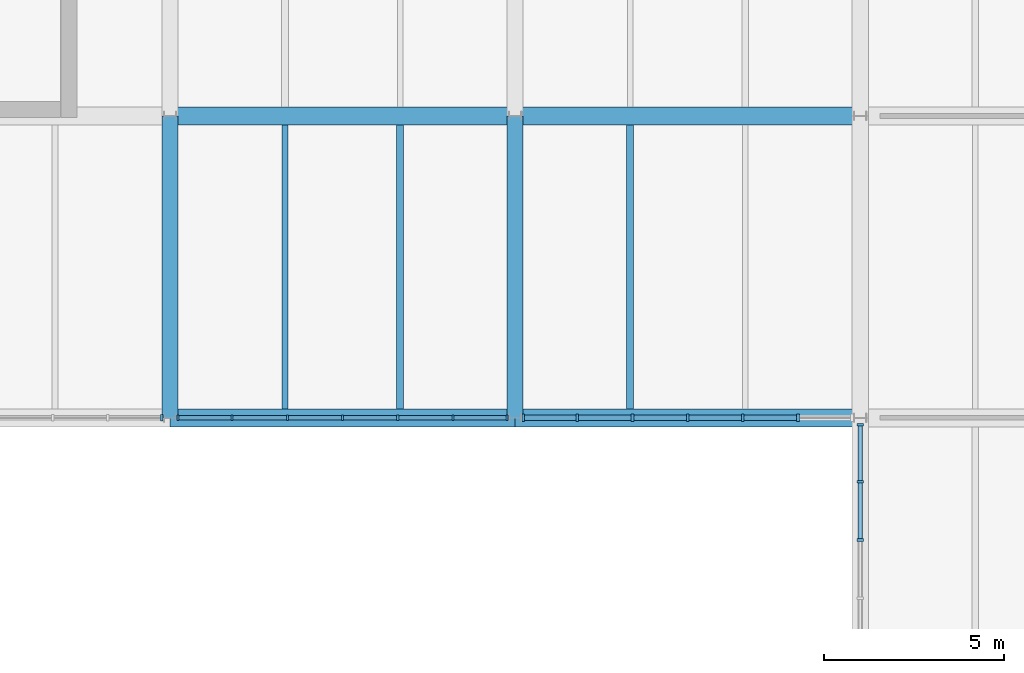
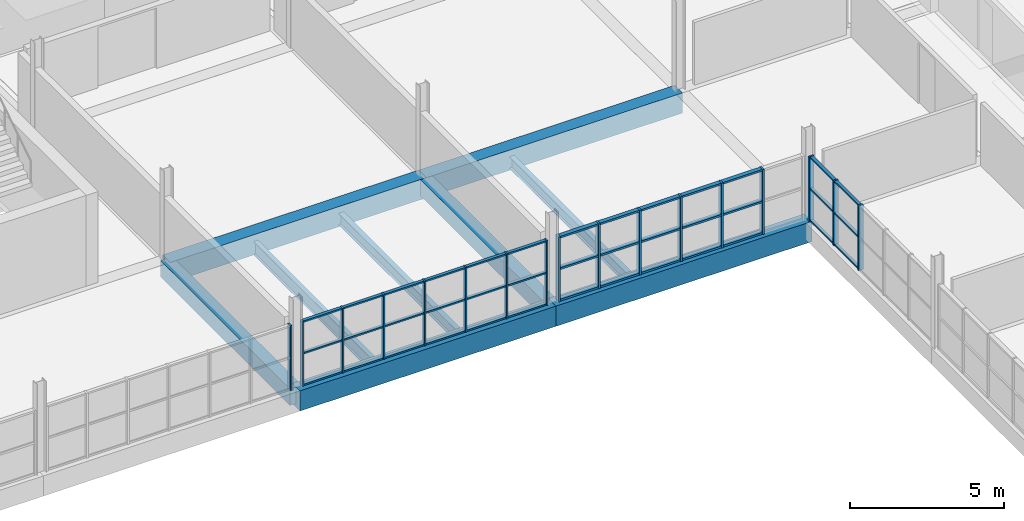
# One storey, part 44 of 147: 56 members, 9 beams, 4 elements without a shape of their own.
"""IFC4 building model written with IfcOpenShell, lengths in metres."""

from ifc_helpers import new_model, si_unit, direction, frame, origin, origin_2d, place, context, subcontext, project, spatial, rectangle, i_section, extrude, material, material_profile, profile_set, type_object, element, aggregate, save


model = new_model("IFC4")

# Units and contexts
model_context = context("Model", 3, precision=1e-05, world=origin(), true_north=direction((0.0, 1.0)))
body_context = subcontext(model_context, "Body", "Model", "MODEL_VIEW")
ifc_project = project(units=[si_unit("LENGTHUNIT", "METRE"), si_unit("AREAUNIT", "SQUARE_METRE"), si_unit("VOLUMEUNIT", "CUBIC_METRE"), si_unit("PLANEANGLEUNIT", "RADIAN"), si_unit("MASSUNIT", "GRAM", prefix="KILO")], contexts=[model_context])

# Site, building, storey
site_placement = place(None, origin())
site = spatial("IfcSite", under=ifc_project, at=site_placement, CompositionType="ELEMENT")
building_placement = place(site_placement, origin())
building = spatial("IfcBuilding", under=site, at=building_placement, Name="Oolite Switchyard Hospital", CompositionType="ELEMENT")
storey_placement = place(building_placement, frame((0.0, 0.0, 9.89990234375)))
storey = spatial("IfcBuildingStorey", under=building, at=storey_placement, Name="L02", CompositionType="ELEMENT", Elevation=9.89990234375)

# Beams
ifc_material_1 = material(Name="Concrete C40/50", Category="concrete")
ifc_material_profile_1 = material_profile(ifc_material_1, rectangle(XDim=0.449951171875, YDim=0.64990234375, at=origin_2d()), Name="RCB450X650")
ifc_profile_set_1 = profile_set([ifc_material_profile_1], Name="Concrete C40/50")
beam_type_1 = type_object("IfcBeamType", Name="BM-RC450X650", PredefinedType="BEAM", material=ifc_profile_set_1)
for number, where, z_axis, x_axis, name in (
    (1, (96.0, 84.0, -0.324951171875), (0.0, 1.0, 0.0), (-1.0, 0.0, 0.0), "L02 Y-Girder 1376"),
    (2, (105.60009765625, 84.0, -0.324951171875), (0.0, 1.0, 0.0), (-1.0, 0.0, 0.0), "L02 Y-Girder 1379"),
):
    element("IfcBeam", number, at=place(storey_placement, frame(where, z_axis=z_axis, x_axis=x_axis)), inside=storey, type_object=beam_type_1, Name=name, PredefinedType="BEAM", context=body_context, shape_type="SweptSolid", body=[
        extrude(rectangle(XDim=0.449951171875, YDim=0.64990234375, at=origin_2d()), origin(), (0.0, 0.0, 1.0), 8.39990234375),
    ])
ifc_material_profile_2 = material_profile(ifc_material_1, rectangle(XDim=0.5, YDim=0.800048828125, at=origin_2d()), Name="RCB500X800")
ifc_profile_set_2 = profile_set([ifc_material_profile_2], Name="Concrete C40/50")
beam_type_2 = type_object("IfcBeamType", Name="BM-RC500X800", PredefinedType="BEAM", material=ifc_profile_set_2)
beam_1_placement = place(storey_placement, frame((96.0, 84.0, -0.39990234375), z_axis=(1.0, 0.0, 0.0), x_axis=(0.0, 1.0, 0.0)))
element("IfcBeam", 3, at=beam_1_placement, inside=storey, type_object=beam_type_2, Name="L02 X-Girder 1134", PredefinedType="BEAM", context=body_context, shape_type="SweptSolid", body=[
    extrude(rectangle(XDim=0.5, YDim=0.800048828125, at=origin_2d()), origin(), (0.0, 0.0, 1.0), 9.60009765625),
])
beam_2_placement = place(storey_placement, frame((105.60009765625, 84.0, -0.39990234375), z_axis=(1.0, 0.0, 0.0), x_axis=(0.0, 1.0, 0.0)))
element("IfcBeam", 4, at=beam_2_placement, inside=storey, type_object=beam_type_2, Name="L02 X-Girder 1135", PredefinedType="BEAM", context=body_context, shape_type="SweptSolid", body=[
    extrude(rectangle(XDim=0.5, YDim=0.800048828125, at=origin_2d()), origin(), (0.0, 0.0, 1.0), 9.599853515625),
])
beam_3_placement = place(storey_placement, frame((96.0, 92.39990234375, -0.39990234375), z_axis=(1.0, 0.0, 0.0), x_axis=(0.0, 1.0, 0.0)))
element("IfcBeam", 5, at=beam_3_placement, inside=storey, type_object=beam_type_2, Name="L02 X-Girder 1152", PredefinedType="BEAM", context=body_context, shape_type="SweptSolid", body=[
    extrude(rectangle(XDim=0.5, YDim=0.800048828125, at=origin_2d()), origin(), (0.0, 0.0, 1.0), 9.60009765625),
])
beam_4_placement = place(storey_placement, frame((105.60009765625, 92.39990234375, -0.39990234375), z_axis=(1.0, 0.0, 0.0), x_axis=(0.0, 1.0, 0.0)))
element("IfcBeam", 6, at=beam_4_placement, inside=storey, type_object=beam_type_2, Name="L02 X-Girder 1153", PredefinedType="BEAM", context=body_context, shape_type="SweptSolid", body=[
    extrude(rectangle(XDim=0.5, YDim=0.800048828125, at=origin_2d()), origin(), (0.0, 0.0, 1.0), 9.599853515625),
])
ifc_material_2 = material(Name="Steel ASTM A992 Grade 50", Category="steel")
ifc_material_profile_3 = material_profile(ifc_material_2, i_section(OverallWidth=0.19091796875, OverallDepth=0.4599609375, WebThickness=0.010009765625, FlangeThickness=0.01611328125, at=origin_2d()), Name="W18X55")
ifc_profile_set_3 = profile_set([ifc_material_profile_3], Name="Steel ASTM A992 Grade 50")
beam_type_3 = type_object("IfcBeamType", Name="BM-W18X55", PredefinedType="JOIST", material=ifc_profile_set_3)
for number, where, z_axis, x_axis, name in (
    (7, (102.39990234375, 84.25, -0.489990234375), (0.0, 1.0, 0.0), (-1.0, 0.0, 0.0), "L02 Secondary Steel Joist 1721"),
    (8, (108.800048828125, 84.25, -0.489990234375), (0.0, 1.0, 0.0), (-1.0, 0.0, 0.0), "L02 Secondary Steel Joist 1726"),
):
    element("IfcBeam", number, at=place(storey_placement, frame(where, z_axis=z_axis, x_axis=x_axis)), inside=storey, type_object=beam_type_3, Name=name, PredefinedType="JOIST", context=body_context, shape_type="SweptSolid", body=[
        extrude(i_section(OverallWidth=0.19091796875, OverallDepth=0.4599609375, WebThickness=0.010009765625, FlangeThickness=0.01611328125, at=origin_2d()), origin(), (0.0, 0.0, 1.0), 7.89990234375),
    ])
ifc_material_profile_4 = material_profile(ifc_material_2, i_section(OverallWidth=0.166015625, OverallDepth=0.529052734375, WebThickness=0.010009765625, FlangeThickness=0.013916015625, at=origin_2d()), Name="W21X50")
ifc_profile_set_4 = profile_set([ifc_material_profile_4], Name="Steel ASTM A992 Grade 50")
beam_type_4 = type_object("IfcBeamType", Name="BM-W21X50", PredefinedType="JOIST", material=ifc_profile_set_4)
beam_5_placement = place(storey_placement, frame((99.199951171875, 84.25, -0.52392578125), z_axis=(0.0, 1.0, 0.0), x_axis=(-1.0, 0.0, 0.0)))
element("IfcBeam", 9, at=beam_5_placement, inside=storey, type_object=beam_type_4, Name="L02 Secondary Steel Joist 1720", PredefinedType="JOIST", context=body_context, shape_type="SweptSolid", body=[
    extrude(i_section(OverallWidth=0.166015625, OverallDepth=0.529052734375, WebThickness=0.010009765625, FlangeThickness=0.013916015625, at=origin_2d()), origin(), (0.0, 0.0, 1.0), 7.89990234375),
])

# Curtain wall, members
ifc_material_3 = material(Name="Thermally broken aluminum frame with laminated impact glazing", Category="aluminium")
curtain_wall_type_1 = type_object("IfcCurtainWallType", Name="CW-UNIT-96X36", PredefinedType="USERDEFINED", material=ifc_material_3)
curtain_wall_1_placement = place(storey_placement, origin())
curtain_wall_1 = element("IfcCurtainWall", 10, at=curtain_wall_1_placement, inside=storey, type_object=curtain_wall_type_1, Name="L02 Unitised Curtain Wall 256", ObjectType="UNITISED", PredefinedType="USERDEFINED")
ifc_material_4 = material(Name="Aluminium 6063-T6", Category="aluminium")
ifc_material_profile_5 = material_profile(ifc_material_4, rectangle(XDim=0.159912109375, YDim=0.06005859375, at=origin_2d()), Name="CWM60X160")
ifc_profile_set_5 = profile_set([ifc_material_profile_5], Name="Aluminium 6063-T6")
member_type_1 = type_object("IfcMemberType", Name="CW-MUL-180", PredefinedType="MULLION", material=ifc_profile_set_5)
member_1_placement = place(storey_placement, frame((105.376953125, 84.0, 0.0), z_axis=(0.0, 0.0, 1.0), x_axis=(0.0, -1.0, 0.0)))
member_1 = element("IfcMember", 11, at=member_1_placement, type_object=member_type_1, Name="CW-03 mullion 1", PredefinedType="MULLION", context=body_context, shape_type="SweptSolid", body=[
    extrude(rectangle(XDim=0.159912109375, YDim=0.06005859375, at=origin_2d()), origin(), (0.0, 0.0, 1.0), 2.570068359375),
])
member_2_placement = place(storey_placement, frame((103.871337890625, 84.0, 0.0), z_axis=(0.0, 0.0, 1.0), x_axis=(0.0, -1.0, 0.0)))
member_2 = element("IfcMember", 12, at=member_2_placement, type_object=member_type_1, Name="CW-03 mullion 2", PredefinedType="MULLION", context=body_context, shape_type="SweptSolid", body=[
    extrude(rectangle(XDim=0.159912109375, YDim=0.06005859375, at=origin_2d()), origin(), (0.0, 0.0, 1.0), 2.570068359375),
])
member_3_placement = place(storey_placement, frame((102.335693359375, 84.0, 0.0), z_axis=(0.0, 0.0, 1.0), x_axis=(0.0, -1.0, 0.0)))
member_3 = element("IfcMember", 13, at=member_3_placement, type_object=member_type_1, Name="CW-03 mullion 3", PredefinedType="MULLION", context=body_context, shape_type="SweptSolid", body=[
    extrude(rectangle(XDim=0.159912109375, YDim=0.06005859375, at=origin_2d()), origin(), (0.0, 0.0, 1.0), 2.570068359375),
])
member_4_placement = place(storey_placement, frame((100.800048828125, 84.0, 0.0), z_axis=(0.0, 0.0, 1.0), x_axis=(0.0, -1.0, 0.0)))
member_4 = element("IfcMember", 14, at=member_4_placement, type_object=member_type_1, Name="CW-03 mullion 4", PredefinedType="MULLION", context=body_context, shape_type="SweptSolid", body=[
    extrude(rectangle(XDim=0.159912109375, YDim=0.06005859375, at=origin_2d()), origin(), (0.0, 0.0, 1.0), 2.570068359375),
])
member_5_placement = place(storey_placement, frame((99.264404296875, 84.0, 0.0), z_axis=(0.0, 0.0, 1.0), x_axis=(0.0, -1.0, 0.0)))
member_5 = element("IfcMember", 15, at=member_5_placement, type_object=member_type_1, Name="CW-03 mullion 5", PredefinedType="MULLION", context=body_context, shape_type="SweptSolid", body=[
    extrude(rectangle(XDim=0.159912109375, YDim=0.06005859375, at=origin_2d()), origin(), (0.0, 0.0, 1.0), 2.570068359375),
])
member_6_placement = place(storey_placement, frame((97.728759765625, 84.0, 0.0), z_axis=(0.0, 0.0, 1.0), x_axis=(0.0, -1.0, 0.0)))
member_6 = element("IfcMember", 16, at=member_6_placement, type_object=member_type_1, Name="CW-03 mullion 6", PredefinedType="MULLION", context=body_context, shape_type="SweptSolid", body=[
    extrude(rectangle(XDim=0.159912109375, YDim=0.06005859375, at=origin_2d()), origin(), (0.0, 0.0, 1.0), 2.570068359375),
])
member_7_placement = place(storey_placement, frame((96.222900390625, 84.0, 0.0), z_axis=(0.0, 0.0, 1.0), x_axis=(0.0, -1.0, 0.0)))
member_7 = element("IfcMember", 17, at=member_7_placement, type_object=member_type_1, Name="CW-03 mullion 7", PredefinedType="MULLION", context=body_context, shape_type="SweptSolid", body=[
    extrude(rectangle(XDim=0.159912109375, YDim=0.06005859375, at=origin_2d()), origin(), (0.0, 0.0, 1.0), 2.570068359375),
])

# Curtain wall, member
curtain_wall_2_placement = place(storey_placement, origin())
curtain_wall_2 = element("IfcCurtainWall", 18, at=curtain_wall_2_placement, inside=storey, type_object=curtain_wall_type_1, Name="L02 Unitised Curtain Wall 254", ObjectType="UNITISED", PredefinedType="USERDEFINED")
ifc_material_profile_6 = material_profile(ifc_material_4, rectangle(XDim=0.179931640625, YDim=0.070068359375, at=origin_2d()), Name="CWM70X180")
ifc_profile_set_6 = profile_set([ifc_material_profile_6], Name="Aluminium 6063-T6")
member_type_2 = type_object("IfcMemberType", Name="CW-MUL-220", PredefinedType="MULLION", material=ifc_profile_set_6)
member_8_placement = place(storey_placement, frame((95.77197265625, 84.0, 0.0), z_axis=(0.0, 0.0, 1.0), x_axis=(0.0, -1.0, 0.0)))
member_8 = element("IfcMember", 19, at=member_8_placement, type_object=member_type_2, Name="CW-03 mullion 1", PredefinedType="MULLION", context=body_context, shape_type="SweptSolid", body=[
    extrude(rectangle(XDim=0.179931640625, YDim=0.070068359375, at=origin_2d()), origin(), (0.0, 0.0, 1.0), 2.570068359375),
])
aggregate(curtain_wall_2, [member_8])

# Curtain wall, members
curtain_wall_type_2 = type_object("IfcCurtainWallType", Name="CW-UNIT-84X36", PredefinedType="USERDEFINED", material=ifc_material_3)
curtain_wall_3_placement = place(storey_placement, origin())
curtain_wall_3 = element("IfcCurtainWall", 20, at=curtain_wall_3_placement, inside=storey, type_object=curtain_wall_type_2, Name="L02 Unitised Curtain Wall 296", ObjectType="UNITISED", PredefinedType="USERDEFINED")
member_9_placement = place(storey_placement, frame((115.199951171875, 80.600830078125, 0.0), z_axis=(0.0, 0.0, 1.0), x_axis=(-1.0, 0.0, 0.0)))
member_9 = element("IfcMember", 21, at=member_9_placement, type_object=member_type_2, Name="CW-08 mullion 4", PredefinedType="MULLION", context=body_context, shape_type="SweptSolid", body=[
    extrude(rectangle(XDim=0.179931640625, YDim=0.070068359375, at=origin_2d()), origin(), (0.0, 0.0, 1.0), 2.570068359375),
])
member_10_placement = place(storey_placement, frame((115.199951171875, 82.220458984375, 0.0), z_axis=(0.0, 0.0, 1.0), x_axis=(-1.0, 0.0, 0.0)))
member_10 = element("IfcMember", 22, at=member_10_placement, type_object=member_type_2, Name="CW-08 mullion 5", PredefinedType="MULLION", context=body_context, shape_type="SweptSolid", body=[
    extrude(rectangle(XDim=0.179931640625, YDim=0.070068359375, at=origin_2d()), origin(), (0.0, 0.0, 1.0), 2.570068359375),
])
member_11_placement = place(storey_placement, frame((115.199951171875, 83.804931640625, 0.0), z_axis=(0.0, 0.0, 1.0), x_axis=(-1.0, 0.0, 0.0)))
member_11 = element("IfcMember", 23, at=member_11_placement, type_object=member_type_2, Name="CW-08 mullion 6", PredefinedType="MULLION", context=body_context, shape_type="SweptSolid", body=[
    extrude(rectangle(XDim=0.179931640625, YDim=0.070068359375, at=origin_2d()), origin(), (0.0, 0.0, 1.0), 2.570068359375),
])

curtain_wall_4_placement = place(storey_placement, origin())
curtain_wall_4 = element("IfcCurtainWall", 24, at=curtain_wall_4_placement, inside=storey, type_object=curtain_wall_type_1, Name="L02 Unitised Curtain Wall 255", ObjectType="UNITISED", PredefinedType="USERDEFINED")
ifc_material_profile_7 = material_profile(ifc_material_4, rectangle(XDim=0.199951171875, YDim=0.074951171875, at=origin_2d()), Name="CWM75X200")
ifc_profile_set_7 = profile_set([ifc_material_profile_7], Name="Aluminium 6063-T6")
member_type_3 = type_object("IfcMemberType", Name="CW-MUL-260", PredefinedType="MULLION", material=ifc_profile_set_7)
member_12_placement = place(storey_placement, frame((113.471435546875, 84.0, 0.0), z_axis=(0.0, 0.0, 1.0), x_axis=(0.0, -1.0, 0.0)))
member_12 = element("IfcMember", 25, at=member_12_placement, type_object=member_type_3, Name="CW-03 mullion 2", PredefinedType="MULLION", context=body_context, shape_type="SweptSolid", body=[
    extrude(rectangle(XDim=0.199951171875, YDim=0.074951171875, at=origin_2d()), origin(), (0.0, 0.0, 1.0), 2.570068359375),
])
member_13_placement = place(storey_placement, frame((111.935546875, 84.0, 0.0), z_axis=(0.0, 0.0, 1.0), x_axis=(0.0, -1.0, 0.0)))
member_13 = element("IfcMember", 26, at=member_13_placement, type_object=member_type_3, Name="CW-03 mullion 3", PredefinedType="MULLION", context=body_context, shape_type="SweptSolid", body=[
    extrude(rectangle(XDim=0.199951171875, YDim=0.074951171875, at=origin_2d()), origin(), (0.0, 0.0, 1.0), 2.570068359375),
])
member_14_placement = place(storey_placement, frame((110.39990234375, 84.0, 0.0), z_axis=(0.0, 0.0, 1.0), x_axis=(0.0, -1.0, 0.0)))
member_14 = element("IfcMember", 27, at=member_14_placement, type_object=member_type_3, Name="CW-03 mullion 4", PredefinedType="MULLION", context=body_context, shape_type="SweptSolid", body=[
    extrude(rectangle(XDim=0.199951171875, YDim=0.074951171875, at=origin_2d()), origin(), (0.0, 0.0, 1.0), 2.570068359375),
])
member_15_placement = place(storey_placement, frame((108.8642578125, 84.0, 0.0), z_axis=(0.0, 0.0, 1.0), x_axis=(0.0, -1.0, 0.0)))
member_15 = element("IfcMember", 28, at=member_15_placement, type_object=member_type_3, Name="CW-03 mullion 5", PredefinedType="MULLION", context=body_context, shape_type="SweptSolid", body=[
    extrude(rectangle(XDim=0.199951171875, YDim=0.074951171875, at=origin_2d()), origin(), (0.0, 0.0, 1.0), 2.570068359375),
])
member_16_placement = place(storey_placement, frame((107.32861328125, 84.0, 0.0), z_axis=(0.0, 0.0, 1.0), x_axis=(0.0, -1.0, 0.0)))
member_16 = element("IfcMember", 29, at=member_16_placement, type_object=member_type_3, Name="CW-03 mullion 6", PredefinedType="MULLION", context=body_context, shape_type="SweptSolid", body=[
    extrude(rectangle(XDim=0.199951171875, YDim=0.074951171875, at=origin_2d()), origin(), (0.0, 0.0, 1.0), 2.570068359375),
])
member_17_placement = place(storey_placement, frame((105.83056640625, 84.0, 0.0), z_axis=(0.0, 0.0, 1.0), x_axis=(0.0, -1.0, 0.0)))
member_17 = element("IfcMember", 30, at=member_17_placement, type_object=member_type_3, Name="CW-03 mullion 7", PredefinedType="MULLION", context=body_context, shape_type="SweptSolid", body=[
    extrude(rectangle(XDim=0.199951171875, YDim=0.074951171875, at=origin_2d()), origin(), (0.0, 0.0, 1.0), 2.570068359375),
])

# Member
ifc_material_profile_8 = material_profile(ifc_material_4, rectangle(XDim=0.1201171875, YDim=0.06005859375, at=origin_2d()), Name="CWT60X120")
ifc_profile_set_8 = profile_set([ifc_material_profile_8], Name="Aluminium 6063-T6")
member_type_4 = type_object("IfcMemberType", Name="CW-TRN-150", PredefinedType="USERDEFINED", material=ifc_profile_set_8)
member_18_placement = place(storey_placement, frame((105.346923828125, 84.0, 0.030029296875), z_axis=(-1.0, 0.0, 0.0), x_axis=(0.0, -1.0, 0.0)))
member_18 = element("IfcMember", 31, at=member_18_placement, type_object=member_type_4, Name="CW-03 transom 1.1", ObjectType="TRANSOM", PredefinedType="USERDEFINED", context=body_context, shape_type="SweptSolid", body=[
    extrude(rectangle(XDim=0.1201171875, YDim=0.06005859375, at=origin_2d()), origin(), (0.0, 0.0, 1.0), 1.445556640625),
])

member_19_placement = place(storey_placement, frame((105.346923828125, 84.0, 1.28515625), z_axis=(-1.0, 0.0, 0.0), x_axis=(0.0, -1.0, 0.0)))
member_19 = element("IfcMember", 32, at=member_19_placement, type_object=member_type_4, Name="CW-03 transom 1.2", ObjectType="TRANSOM", PredefinedType="USERDEFINED", context=body_context, shape_type="SweptSolid", body=[
    extrude(rectangle(XDim=0.1201171875, YDim=0.06005859375, at=origin_2d()), origin(), (0.0, 0.0, 1.0), 1.445556640625),
])

member_20_placement = place(storey_placement, frame((105.346923828125, 84.0, 2.5400390625), z_axis=(-1.0, 0.0, 0.0), x_axis=(0.0, -1.0, 0.0)))
member_20 = element("IfcMember", 33, at=member_20_placement, type_object=member_type_4, Name="CW-03 transom 1.3", ObjectType="TRANSOM", PredefinedType="USERDEFINED", context=body_context, shape_type="SweptSolid", body=[
    extrude(rectangle(XDim=0.1201171875, YDim=0.06005859375, at=origin_2d()), origin(), (0.0, 0.0, 1.0), 1.445556640625),
])

member_21_placement = place(storey_placement, frame((103.84130859375, 84.0, 0.030029296875), z_axis=(-1.0, 0.0, 0.0), x_axis=(0.0, -1.0, 0.0)))
member_21 = element("IfcMember", 34, at=member_21_placement, type_object=member_type_4, Name="CW-03 transom 2.1", ObjectType="TRANSOM", PredefinedType="USERDEFINED", context=body_context, shape_type="SweptSolid", body=[
    extrude(rectangle(XDim=0.1201171875, YDim=0.06005859375, at=origin_2d()), origin(), (0.0, 0.0, 1.0), 1.4755859375),
])

member_22_placement = place(storey_placement, frame((103.84130859375, 84.0, 1.28515625), z_axis=(-1.0, 0.0, 0.0), x_axis=(0.0, -1.0, 0.0)))
member_22 = element("IfcMember", 35, at=member_22_placement, type_object=member_type_4, Name="CW-03 transom 2.2", ObjectType="TRANSOM", PredefinedType="USERDEFINED", context=body_context, shape_type="SweptSolid", body=[
    extrude(rectangle(XDim=0.1201171875, YDim=0.06005859375, at=origin_2d()), origin(), (0.0, 0.0, 1.0), 1.4755859375),
])

member_23_placement = place(storey_placement, frame((103.84130859375, 84.0, 2.5400390625), z_axis=(-1.0, 0.0, 0.0), x_axis=(0.0, -1.0, 0.0)))
member_23 = element("IfcMember", 36, at=member_23_placement, type_object=member_type_4, Name="CW-03 transom 2.3", ObjectType="TRANSOM", PredefinedType="USERDEFINED", context=body_context, shape_type="SweptSolid", body=[
    extrude(rectangle(XDim=0.1201171875, YDim=0.06005859375, at=origin_2d()), origin(), (0.0, 0.0, 1.0), 1.4755859375),
])

member_24_placement = place(storey_placement, frame((102.3056640625, 84.0, 0.030029296875), z_axis=(-1.0, 0.0, 0.0), x_axis=(0.0, -1.0, 0.0)))
member_24 = element("IfcMember", 37, at=member_24_placement, type_object=member_type_4, Name="CW-03 transom 3.1", ObjectType="TRANSOM", PredefinedType="USERDEFINED", context=body_context, shape_type="SweptSolid", body=[
    extrude(rectangle(XDim=0.1201171875, YDim=0.06005859375, at=origin_2d()), origin(), (0.0, 0.0, 1.0), 1.4755859375),
])

member_25_placement = place(storey_placement, frame((102.3056640625, 84.0, 1.28515625), z_axis=(-1.0, 0.0, 0.0), x_axis=(0.0, -1.0, 0.0)))
member_25 = element("IfcMember", 38, at=member_25_placement, type_object=member_type_4, Name="CW-03 transom 3.2", ObjectType="TRANSOM", PredefinedType="USERDEFINED", context=body_context, shape_type="SweptSolid", body=[
    extrude(rectangle(XDim=0.1201171875, YDim=0.06005859375, at=origin_2d()), origin(), (0.0, 0.0, 1.0), 1.4755859375),
])

member_26_placement = place(storey_placement, frame((102.3056640625, 84.0, 2.5400390625), z_axis=(-1.0, 0.0, 0.0), x_axis=(0.0, -1.0, 0.0)))
member_26 = element("IfcMember", 39, at=member_26_placement, type_object=member_type_4, Name="CW-03 transom 3.3", ObjectType="TRANSOM", PredefinedType="USERDEFINED", context=body_context, shape_type="SweptSolid", body=[
    extrude(rectangle(XDim=0.1201171875, YDim=0.06005859375, at=origin_2d()), origin(), (0.0, 0.0, 1.0), 1.4755859375),
])

member_27_placement = place(storey_placement, frame((100.77001953125, 84.0, 0.030029296875), z_axis=(-1.0, 0.0, 0.0), x_axis=(0.0, -1.0, 0.0)))
member_27 = element("IfcMember", 40, at=member_27_placement, type_object=member_type_4, Name="CW-03 transom 4.1", ObjectType="TRANSOM", PredefinedType="USERDEFINED", context=body_context, shape_type="SweptSolid", body=[
    extrude(rectangle(XDim=0.1201171875, YDim=0.06005859375, at=origin_2d()), origin(), (0.0, 0.0, 1.0), 1.4755859375),
])

member_28_placement = place(storey_placement, frame((100.77001953125, 84.0, 1.28515625), z_axis=(-1.0, 0.0, 0.0), x_axis=(0.0, -1.0, 0.0)))
member_28 = element("IfcMember", 41, at=member_28_placement, type_object=member_type_4, Name="CW-03 transom 4.2", ObjectType="TRANSOM", PredefinedType="USERDEFINED", context=body_context, shape_type="SweptSolid", body=[
    extrude(rectangle(XDim=0.1201171875, YDim=0.06005859375, at=origin_2d()), origin(), (0.0, 0.0, 1.0), 1.4755859375),
])

member_29_placement = place(storey_placement, frame((100.77001953125, 84.0, 2.5400390625), z_axis=(-1.0, 0.0, 0.0), x_axis=(0.0, -1.0, 0.0)))
member_29 = element("IfcMember", 42, at=member_29_placement, type_object=member_type_4, Name="CW-03 transom 4.3", ObjectType="TRANSOM", PredefinedType="USERDEFINED", context=body_context, shape_type="SweptSolid", body=[
    extrude(rectangle(XDim=0.1201171875, YDim=0.06005859375, at=origin_2d()), origin(), (0.0, 0.0, 1.0), 1.4755859375),
])

member_30_placement = place(storey_placement, frame((99.234375, 84.0, 0.030029296875), z_axis=(-1.0, 0.0, 0.0), x_axis=(0.0, -1.0, 0.0)))
member_30 = element("IfcMember", 43, at=member_30_placement, type_object=member_type_4, Name="CW-03 transom 5.1", ObjectType="TRANSOM", PredefinedType="USERDEFINED", context=body_context, shape_type="SweptSolid", body=[
    extrude(rectangle(XDim=0.1201171875, YDim=0.06005859375, at=origin_2d()), origin(), (0.0, 0.0, 1.0), 1.475830078125),
])

member_31_placement = place(storey_placement, frame((99.234375, 84.0, 1.28515625), z_axis=(-1.0, 0.0, 0.0), x_axis=(0.0, -1.0, 0.0)))
member_31 = element("IfcMember", 44, at=member_31_placement, type_object=member_type_4, Name="CW-03 transom 5.2", ObjectType="TRANSOM", PredefinedType="USERDEFINED", context=body_context, shape_type="SweptSolid", body=[
    extrude(rectangle(XDim=0.1201171875, YDim=0.06005859375, at=origin_2d()), origin(), (0.0, 0.0, 1.0), 1.475830078125),
])

member_32_placement = place(storey_placement, frame((99.234375, 84.0, 2.5400390625), z_axis=(-1.0, 0.0, 0.0), x_axis=(0.0, -1.0, 0.0)))
member_32 = element("IfcMember", 45, at=member_32_placement, type_object=member_type_4, Name="CW-03 transom 5.3", ObjectType="TRANSOM", PredefinedType="USERDEFINED", context=body_context, shape_type="SweptSolid", body=[
    extrude(rectangle(XDim=0.1201171875, YDim=0.06005859375, at=origin_2d()), origin(), (0.0, 0.0, 1.0), 1.475830078125),
])

member_33_placement = place(storey_placement, frame((97.69873046875, 84.0, 0.030029296875), z_axis=(-1.0, 0.0, 0.0), x_axis=(0.0, -1.0, 0.0)))
member_33 = element("IfcMember", 46, at=member_33_placement, type_object=member_type_4, Name="CW-03 transom 6.1", ObjectType="TRANSOM", PredefinedType="USERDEFINED", context=body_context, shape_type="SweptSolid", body=[
    extrude(rectangle(XDim=0.1201171875, YDim=0.06005859375, at=origin_2d()), origin(), (0.0, 0.0, 1.0), 1.44580078125),
])

member_34_placement = place(storey_placement, frame((97.69873046875, 84.0, 1.28515625), z_axis=(-1.0, 0.0, 0.0), x_axis=(0.0, -1.0, 0.0)))
member_34 = element("IfcMember", 47, at=member_34_placement, type_object=member_type_4, Name="CW-03 transom 6.2", ObjectType="TRANSOM", PredefinedType="USERDEFINED", context=body_context, shape_type="SweptSolid", body=[
    extrude(rectangle(XDim=0.1201171875, YDim=0.06005859375, at=origin_2d()), origin(), (0.0, 0.0, 1.0), 1.44580078125),
])

member_35_placement = place(storey_placement, frame((97.69873046875, 84.0, 2.5400390625), z_axis=(-1.0, 0.0, 0.0), x_axis=(0.0, -1.0, 0.0)))
member_35 = element("IfcMember", 48, at=member_35_placement, type_object=member_type_4, Name="CW-03 transom 6.3", ObjectType="TRANSOM", PredefinedType="USERDEFINED", context=body_context, shape_type="SweptSolid", body=[
    extrude(rectangle(XDim=0.1201171875, YDim=0.06005859375, at=origin_2d()), origin(), (0.0, 0.0, 1.0), 1.44580078125),
])

aggregate(curtain_wall_1, [member_1, member_2, member_3, member_4, member_5, member_6, member_7, member_18, member_19, member_20, member_21, member_22, member_23, member_24, member_25, member_26, member_27, member_28, member_29, member_30, member_31, member_32, member_33, member_34, member_35])

member_36_placement = place(storey_placement, frame((115.199951171875, 80.6357421875, 0.030029296875), z_axis=(0.0, 1.0, 0.0), x_axis=(-1.0, 0.0, 0.0)))
member_36 = element("IfcMember", 49, at=member_36_placement, type_object=member_type_4, Name="CW-08 transom 4.1", ObjectType="TRANSOM", PredefinedType="USERDEFINED", context=body_context, shape_type="SweptSolid", body=[
    extrude(rectangle(XDim=0.1201171875, YDim=0.06005859375, at=origin_2d()), origin(), (0.0, 0.0, 1.0), 1.549560546875),
])

member_37_placement = place(storey_placement, frame((115.199951171875, 80.6357421875, 1.28515625), z_axis=(0.0, 1.0, 0.0), x_axis=(-1.0, 0.0, 0.0)))
member_37 = element("IfcMember", 50, at=member_37_placement, type_object=member_type_4, Name="CW-08 transom 4.2", ObjectType="TRANSOM", PredefinedType="USERDEFINED", context=body_context, shape_type="SweptSolid", body=[
    extrude(rectangle(XDim=0.1201171875, YDim=0.06005859375, at=origin_2d()), origin(), (0.0, 0.0, 1.0), 1.549560546875),
])

member_38_placement = place(storey_placement, frame((115.199951171875, 80.6357421875, 2.5400390625), z_axis=(0.0, 1.0, 0.0), x_axis=(-1.0, 0.0, 0.0)))
member_38 = element("IfcMember", 51, at=member_38_placement, type_object=member_type_4, Name="CW-08 transom 4.3", ObjectType="TRANSOM", PredefinedType="USERDEFINED", context=body_context, shape_type="SweptSolid", body=[
    extrude(rectangle(XDim=0.1201171875, YDim=0.06005859375, at=origin_2d()), origin(), (0.0, 0.0, 1.0), 1.549560546875),
])

member_39_placement = place(storey_placement, frame((115.199951171875, 82.25537109375, 0.030029296875), z_axis=(0.0, 1.0, 0.0), x_axis=(-1.0, 0.0, 0.0)))
member_39 = element("IfcMember", 52, at=member_39_placement, type_object=member_type_4, Name="CW-08 transom 5.1", ObjectType="TRANSOM", PredefinedType="USERDEFINED", context=body_context, shape_type="SweptSolid", body=[
    extrude(rectangle(XDim=0.1201171875, YDim=0.06005859375, at=origin_2d()), origin(), (0.0, 0.0, 1.0), 1.5146484375),
])

member_40_placement = place(storey_placement, frame((115.199951171875, 82.25537109375, 1.28515625), z_axis=(0.0, 1.0, 0.0), x_axis=(-1.0, 0.0, 0.0)))
member_40 = element("IfcMember", 53, at=member_40_placement, type_object=member_type_4, Name="CW-08 transom 5.2", ObjectType="TRANSOM", PredefinedType="USERDEFINED", context=body_context, shape_type="SweptSolid", body=[
    extrude(rectangle(XDim=0.1201171875, YDim=0.06005859375, at=origin_2d()), origin(), (0.0, 0.0, 1.0), 1.5146484375),
])

member_41_placement = place(storey_placement, frame((115.199951171875, 82.25537109375, 2.5400390625), z_axis=(0.0, 1.0, 0.0), x_axis=(-1.0, 0.0, 0.0)))
member_41 = element("IfcMember", 54, at=member_41_placement, type_object=member_type_4, Name="CW-08 transom 5.3", ObjectType="TRANSOM", PredefinedType="USERDEFINED", context=body_context, shape_type="SweptSolid", body=[
    extrude(rectangle(XDim=0.1201171875, YDim=0.06005859375, at=origin_2d()), origin(), (0.0, 0.0, 1.0), 1.5146484375),
])

aggregate(curtain_wall_3, [member_9, member_10, member_11, member_36, member_37, member_38, member_39, member_40, member_41])

ifc_material_profile_9 = material_profile(ifc_material_4, rectangle(XDim=0.159912109375, YDim=0.074951171875, at=origin_2d()), Name="CWT75X160")
ifc_profile_set_9 = profile_set([ifc_material_profile_9], Name="Aluminium 6063-T6")
member_type_5 = type_object("IfcMemberType", Name="CW-TRN-180", PredefinedType="USERDEFINED", material=ifc_profile_set_9)
member_42_placement = place(storey_placement, frame((113.433837890625, 84.0, 0.03759765625), z_axis=(-1.0, 0.0, 0.0), x_axis=(0.0, -1.0, 0.0)))
member_42 = element("IfcMember", 55, at=member_42_placement, type_object=member_type_5, Name="CW-03 transom 2.1", ObjectType="TRANSOM", PredefinedType="USERDEFINED", context=body_context, shape_type="SweptSolid", body=[
    extrude(rectangle(XDim=0.159912109375, YDim=0.074951171875, at=origin_2d()), origin(), (0.0, 0.0, 1.0), 1.460693359375),
])

member_43_placement = place(storey_placement, frame((113.433837890625, 84.0, 1.28515625), z_axis=(-1.0, 0.0, 0.0), x_axis=(0.0, -1.0, 0.0)))
member_43 = element("IfcMember", 56, at=member_43_placement, type_object=member_type_5, Name="CW-03 transom 2.2", ObjectType="TRANSOM", PredefinedType="USERDEFINED", context=body_context, shape_type="SweptSolid", body=[
    extrude(rectangle(XDim=0.159912109375, YDim=0.074951171875, at=origin_2d()), origin(), (0.0, 0.0, 1.0), 1.460693359375),
])

member_44_placement = place(storey_placement, frame((113.433837890625, 84.0, 2.53271484375), z_axis=(-1.0, 0.0, 0.0), x_axis=(0.0, -1.0, 0.0)))
member_44 = element("IfcMember", 57, at=member_44_placement, type_object=member_type_5, Name="CW-03 transom 2.3", ObjectType="TRANSOM", PredefinedType="USERDEFINED", context=body_context, shape_type="SweptSolid", body=[
    extrude(rectangle(XDim=0.159912109375, YDim=0.074951171875, at=origin_2d()), origin(), (0.0, 0.0, 1.0), 1.460693359375),
])

member_45_placement = place(storey_placement, frame((111.898193359375, 84.0, 0.03759765625), z_axis=(-1.0, 0.0, 0.0), x_axis=(0.0, -1.0, 0.0)))
member_45 = element("IfcMember", 58, at=member_45_placement, type_object=member_type_5, Name="CW-03 transom 3.1", ObjectType="TRANSOM", PredefinedType="USERDEFINED", context=body_context, shape_type="SweptSolid", body=[
    extrude(rectangle(XDim=0.159912109375, YDim=0.074951171875, at=origin_2d()), origin(), (0.0, 0.0, 1.0), 1.460693359375),
])

member_46_placement = place(storey_placement, frame((111.898193359375, 84.0, 1.28515625), z_axis=(-1.0, 0.0, 0.0), x_axis=(0.0, -1.0, 0.0)))
member_46 = element("IfcMember", 59, at=member_46_placement, type_object=member_type_5, Name="CW-03 transom 3.2", ObjectType="TRANSOM", PredefinedType="USERDEFINED", context=body_context, shape_type="SweptSolid", body=[
    extrude(rectangle(XDim=0.159912109375, YDim=0.074951171875, at=origin_2d()), origin(), (0.0, 0.0, 1.0), 1.460693359375),
])

member_47_placement = place(storey_placement, frame((111.898193359375, 84.0, 2.53271484375), z_axis=(-1.0, 0.0, 0.0), x_axis=(0.0, -1.0, 0.0)))
member_47 = element("IfcMember", 60, at=member_47_placement, type_object=member_type_5, Name="CW-03 transom 3.3", ObjectType="TRANSOM", PredefinedType="USERDEFINED", context=body_context, shape_type="SweptSolid", body=[
    extrude(rectangle(XDim=0.159912109375, YDim=0.074951171875, at=origin_2d()), origin(), (0.0, 0.0, 1.0), 1.460693359375),
])

member_48_placement = place(storey_placement, frame((110.362548828125, 84.0, 0.03759765625), z_axis=(-1.0, 0.0, 0.0), x_axis=(0.0, -1.0, 0.0)))
member_48 = element("IfcMember", 61, at=member_48_placement, type_object=member_type_5, Name="CW-03 transom 4.1", ObjectType="TRANSOM", PredefinedType="USERDEFINED", context=body_context, shape_type="SweptSolid", body=[
    extrude(rectangle(XDim=0.159912109375, YDim=0.074951171875, at=origin_2d()), origin(), (0.0, 0.0, 1.0), 1.460693359375),
])

member_49_placement = place(storey_placement, frame((110.362548828125, 84.0, 1.28515625), z_axis=(-1.0, 0.0, 0.0), x_axis=(0.0, -1.0, 0.0)))
member_49 = element("IfcMember", 62, at=member_49_placement, type_object=member_type_5, Name="CW-03 transom 4.2", ObjectType="TRANSOM", PredefinedType="USERDEFINED", context=body_context, shape_type="SweptSolid", body=[
    extrude(rectangle(XDim=0.159912109375, YDim=0.074951171875, at=origin_2d()), origin(), (0.0, 0.0, 1.0), 1.460693359375),
])

member_50_placement = place(storey_placement, frame((110.362548828125, 84.0, 2.53271484375), z_axis=(-1.0, 0.0, 0.0), x_axis=(0.0, -1.0, 0.0)))
member_50 = element("IfcMember", 63, at=member_50_placement, type_object=member_type_5, Name="CW-03 transom 4.3", ObjectType="TRANSOM", PredefinedType="USERDEFINED", context=body_context, shape_type="SweptSolid", body=[
    extrude(rectangle(XDim=0.159912109375, YDim=0.074951171875, at=origin_2d()), origin(), (0.0, 0.0, 1.0), 1.460693359375),
])

member_51_placement = place(storey_placement, frame((108.826904296875, 84.0, 0.03759765625), z_axis=(-1.0, 0.0, 0.0), x_axis=(0.0, -1.0, 0.0)))
member_51 = element("IfcMember", 64, at=member_51_placement, type_object=member_type_5, Name="CW-03 transom 5.1", ObjectType="TRANSOM", PredefinedType="USERDEFINED", context=body_context, shape_type="SweptSolid", body=[
    extrude(rectangle(XDim=0.159912109375, YDim=0.074951171875, at=origin_2d()), origin(), (0.0, 0.0, 1.0), 1.460693359375),
])

member_52_placement = place(storey_placement, frame((108.826904296875, 84.0, 1.28515625), z_axis=(-1.0, 0.0, 0.0), x_axis=(0.0, -1.0, 0.0)))
member_52 = element("IfcMember", 65, at=member_52_placement, type_object=member_type_5, Name="CW-03 transom 5.2", ObjectType="TRANSOM", PredefinedType="USERDEFINED", context=body_context, shape_type="SweptSolid", body=[
    extrude(rectangle(XDim=0.159912109375, YDim=0.074951171875, at=origin_2d()), origin(), (0.0, 0.0, 1.0), 1.460693359375),
])

member_53_placement = place(storey_placement, frame((108.826904296875, 84.0, 2.53271484375), z_axis=(-1.0, 0.0, 0.0), x_axis=(0.0, -1.0, 0.0)))
member_53 = element("IfcMember", 66, at=member_53_placement, type_object=member_type_5, Name="CW-03 transom 5.3", ObjectType="TRANSOM", PredefinedType="USERDEFINED", context=body_context, shape_type="SweptSolid", body=[
    extrude(rectangle(XDim=0.159912109375, YDim=0.074951171875, at=origin_2d()), origin(), (0.0, 0.0, 1.0), 1.460693359375),
])

member_54_placement = place(storey_placement, frame((107.291259765625, 84.0, 0.03759765625), z_axis=(-1.0, 0.0, 0.0), x_axis=(0.0, -1.0, 0.0)))
member_54 = element("IfcMember", 67, at=member_54_placement, type_object=member_type_5, Name="CW-03 transom 6.1", ObjectType="TRANSOM", PredefinedType="USERDEFINED", context=body_context, shape_type="SweptSolid", body=[
    extrude(rectangle(XDim=0.159912109375, YDim=0.074951171875, at=origin_2d()), origin(), (0.0, 0.0, 1.0), 1.42333984375),
])

member_55_placement = place(storey_placement, frame((107.291259765625, 84.0, 1.28515625), z_axis=(-1.0, 0.0, 0.0), x_axis=(0.0, -1.0, 0.0)))
member_55 = element("IfcMember", 68, at=member_55_placement, type_object=member_type_5, Name="CW-03 transom 6.2", ObjectType="TRANSOM", PredefinedType="USERDEFINED", context=body_context, shape_type="SweptSolid", body=[
    extrude(rectangle(XDim=0.159912109375, YDim=0.074951171875, at=origin_2d()), origin(), (0.0, 0.0, 1.0), 1.42333984375),
])

member_56_placement = place(storey_placement, frame((107.291259765625, 84.0, 2.53271484375), z_axis=(-1.0, 0.0, 0.0), x_axis=(0.0, -1.0, 0.0)))
member_56 = element("IfcMember", 69, at=member_56_placement, type_object=member_type_5, Name="CW-03 transom 6.3", ObjectType="TRANSOM", PredefinedType="USERDEFINED", context=body_context, shape_type="SweptSolid", body=[
    extrude(rectangle(XDim=0.159912109375, YDim=0.074951171875, at=origin_2d()), origin(), (0.0, 0.0, 1.0), 1.42333984375),
])

aggregate(curtain_wall_4, [member_12, member_13, member_14, member_15, member_16, member_17, member_42, member_43, member_44, member_45, member_46, member_47, member_48, member_49, member_50, member_51, member_52, member_53, member_54, member_55, member_56])

save(model, "model.ifc")
